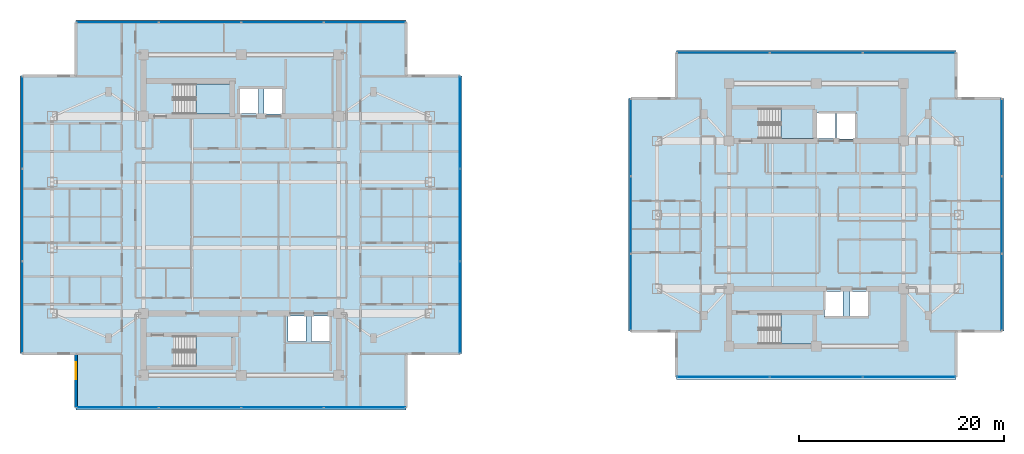
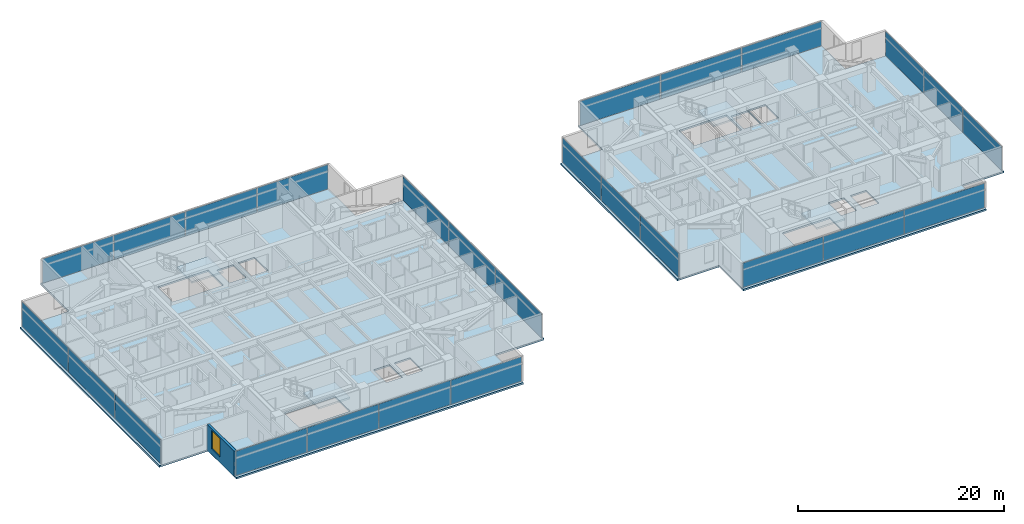
# One storey, part 11 of 25: 26 plates, 6 slabs, 1 wall, 1 window, 1 opening, 12 elements without a shape of their own.
"""IFC4 building model written with IfcOpenShell, lengths in metres."""

from ifc_helpers import new_model, si_unit, direction, frame, frame_2d, origin, origin_2d, place, context, subcontext, project, spatial, polyline, rectangle, outline, extrude, material, layer, layer_set, type_object, element, fill, aggregate, save


model = new_model("IFC4")

# Units and contexts
model_context = context("Model", 3, precision=1e-05, world=origin(), true_north=direction((0.0, 1.0)))
body_context = subcontext(model_context, "Body", "Model", "MODEL_VIEW")
ifc_project = project(units=[si_unit("LENGTHUNIT", "METRE"), si_unit("AREAUNIT", "SQUARE_METRE"), si_unit("VOLUMEUNIT", "CUBIC_METRE"), si_unit("PLANEANGLEUNIT", "RADIAN"), si_unit("MASSUNIT", "GRAM", prefix="KILO")], contexts=[model_context])

# Site, building, storey
site_placement = place(None, origin())
site = spatial("IfcSite", under=ifc_project, at=site_placement, CompositionType="ELEMENT")
building_placement = place(site_placement, origin())
building = spatial("IfcBuilding", under=site, at=building_placement, Name="Mirazonda Arch Towers", CompositionType="ELEMENT")
storey_placement = place(building_placement, frame((0.0, 0.0, 173.89990234375)))
storey = spatial("IfcBuildingStorey", under=building, at=storey_placement, Name="L49", CompositionType="ELEMENT", Elevation=173.89990234375)

# Curtain wall, plates
ifc_material_1 = material(Name="Anodised Aluminium and Low-E Glass", Category="aluminium")
curtain_wall_type = type_object("IfcCurtainWallType", Name="CW-RES-UNIT", PredefinedType="NOTDEFINED", material=ifc_material_1)
curtain_wall_1_placement = place(storey_placement, origin())
curtain_wall_1 = element("IfcCurtainWall", 1, at=curtain_wall_1_placement, inside=storey, type_object=curtain_wall_type, Name="L49 T1 S Facade CW-L49-T1-S", PredefinedType="NOTDEFINED")
ifc_material_2 = material(Name="Insulated Low-E Solar Glass", Category="glass")
ifc_layer_1 = layer(ifc_material_2, 0.0400390625, Name="PAN-CW-RES-UNIT")
ifc_layer_set_1 = layer_set([ifc_layer_1], Name="Insulated Low-E Solar Glass")
plate_type = type_object("IfcPlateType", Name="PAN-CW-RES-UNIT", PredefinedType="CURTAIN_PANEL", material=ifc_layer_set_1)
plate_1_placement = place(storey_placement, frame((32.530029296875, 9.241943359375, 0.0751953125), z_axis=(0.0, 0.0, 1.0), x_axis=(-1.0, 0.0, 0.0)))
plate_1 = element("IfcPlate", 2, at=plate_1_placement, type_object=plate_type, Name="CW-104 panel 1.1", PredefinedType="CURTAIN_PANEL", context=body_context, shape_type="SweptSolid", body=[
    extrude(rectangle(XDim=7.919921875, YDim=0.0400390625, at=origin_2d()), origin(), (0.0, 0.0, 1.0), 2.8798828125),
])
plate_2_placement = place(storey_placement, frame((24.516357421875, 9.241943359375, 0.0751953125), z_axis=(0.0, 0.0, 1.0), x_axis=(-1.0, 0.0, 0.0)))
plate_2 = element("IfcPlate", 3, at=plate_2_placement, type_object=plate_type, Name="CW-104 panel 2.1", PredefinedType="CURTAIN_PANEL", context=body_context, shape_type="SweptSolid", body=[
    extrude(rectangle(XDim=7.95751953125, YDim=0.0400390625, at=origin_2d()), origin(), (0.0, 0.0, 1.0), 2.8798828125),
])
plate_3_placement = place(storey_placement, frame((16.483642578125, 9.241943359375, 0.0751953125), z_axis=(0.0, 0.0, 1.0), x_axis=(-1.0, 0.0, 0.0)))
plate_3 = element("IfcPlate", 4, at=plate_3_placement, type_object=plate_type, Name="CW-104 panel 3.1", PredefinedType="CURTAIN_PANEL", context=body_context, shape_type="SweptSolid", body=[
    extrude(rectangle(XDim=7.95751953125, YDim=0.0400390625, at=origin_2d()), origin(), (0.0, 0.0, 1.0), 2.8798828125),
])
plate_4_placement = place(storey_placement, frame((8.469970703125, 9.241943359375, 0.0751953125), z_axis=(0.0, 0.0, 1.0), x_axis=(-1.0, 0.0, 0.0)))
plate_4 = element("IfcPlate", 5, at=plate_4_placement, type_object=plate_type, Name="CW-104 panel 4.1", PredefinedType="CURTAIN_PANEL", context=body_context, shape_type="SweptSolid", body=[
    extrude(rectangle(XDim=7.919921875, YDim=0.0400390625, at=origin_2d()), origin(), (0.0, 0.0, 1.0), 2.8798828125),
])
aggregate(curtain_wall_1, [plate_1, plate_2, plate_3, plate_4])

curtain_wall_2_placement = place(storey_placement, origin())
curtain_wall_2 = element("IfcCurtainWall", 6, at=curtain_wall_2_placement, inside=storey, type_object=curtain_wall_type, Name="L49 T1 E Facade CW-L49-T1-E", PredefinedType="NOTDEFINED")
plate_5_placement = place(storey_placement, frame((41.81005859375, 19.010009765625, 0.0751953125), z_axis=(0.0, 0.0, 1.0), x_axis=(0.0, 1.0, 0.0)))
plate_5 = element("IfcPlate", 7, at=plate_5_placement, type_object=plate_type, Name="CW-104 panel 1.1", PredefinedType="CURTAIN_PANEL", context=body_context, shape_type="SweptSolid", body=[
    extrude(rectangle(XDim=8.896240234375, YDim=0.0400390625, at=origin_2d()), origin(), (0.0, 0.0, 1.0), 2.8798828125),
])
plate_6_placement = place(storey_placement, frame((41.81005859375, 28.0, 0.0751953125), z_axis=(0.0, 0.0, 1.0), x_axis=(0.0, 1.0, 0.0)))
plate_6 = element("IfcPlate", 8, at=plate_6_placement, type_object=plate_type, Name="CW-104 panel 2.1", PredefinedType="CURTAIN_PANEL", context=body_context, shape_type="SweptSolid", body=[
    extrude(rectangle(XDim=8.93359375, YDim=0.0400390625, at=origin_2d()), origin(), (0.0, 0.0, 1.0), 2.8798828125),
])
plate_7_placement = place(storey_placement, frame((41.81005859375, 36.989990234375, 0.0751953125), z_axis=(0.0, 0.0, 1.0), x_axis=(0.0, 1.0, 0.0)))
plate_7 = element("IfcPlate", 9, at=plate_7_placement, type_object=plate_type, Name="CW-104 panel 3.1", PredefinedType="CURTAIN_PANEL", context=body_context, shape_type="SweptSolid", body=[
    extrude(rectangle(XDim=8.896240234375, YDim=0.0400390625, at=origin_2d()), origin(), (0.0, 0.0, 1.0), 2.8798828125),
])
aggregate(curtain_wall_2, [plate_5, plate_6, plate_7])

curtain_wall_3_placement = place(storey_placement, origin())
curtain_wall_3 = element("IfcCurtainWall", 10, at=curtain_wall_3_placement, inside=storey, type_object=curtain_wall_type, Name="L49 T1 N Facade CW-L49-T1-N", PredefinedType="NOTDEFINED")
plate_8_placement = place(storey_placement, frame((8.469970703125, 46.758056640625, 0.0751953125), z_axis=(0.0, 0.0, 1.0), x_axis=(1.0, 0.0, 0.0)))
plate_8 = element("IfcPlate", 11, at=plate_8_placement, type_object=plate_type, Name="CW-104 panel 1.1", PredefinedType="CURTAIN_PANEL", context=body_context, shape_type="SweptSolid", body=[
    extrude(rectangle(XDim=7.919921875, YDim=0.0400390625, at=origin_2d()), origin(), (0.0, 0.0, 1.0), 2.8798828125),
])
plate_9_placement = place(storey_placement, frame((16.483642578125, 46.758056640625, 0.0751953125), z_axis=(0.0, 0.0, 1.0), x_axis=(1.0, 0.0, 0.0)))
plate_9 = element("IfcPlate", 12, at=plate_9_placement, type_object=plate_type, Name="CW-104 panel 2.1", PredefinedType="CURTAIN_PANEL", context=body_context, shape_type="SweptSolid", body=[
    extrude(rectangle(XDim=7.95751953125, YDim=0.0400390625, at=origin_2d()), origin(), (0.0, 0.0, 1.0), 2.8798828125),
])
plate_10_placement = place(storey_placement, frame((24.516357421875, 46.758056640625, 0.0751953125), z_axis=(0.0, 0.0, 1.0), x_axis=(1.0, 0.0, 0.0)))
plate_10 = element("IfcPlate", 13, at=plate_10_placement, type_object=plate_type, Name="CW-104 panel 3.1", PredefinedType="CURTAIN_PANEL", context=body_context, shape_type="SweptSolid", body=[
    extrude(rectangle(XDim=7.95751953125, YDim=0.0400390625, at=origin_2d()), origin(), (0.0, 0.0, 1.0), 2.8798828125),
])
plate_11_placement = place(storey_placement, frame((32.530029296875, 46.758056640625, 0.0751953125), z_axis=(0.0, 0.0, 1.0), x_axis=(1.0, 0.0, 0.0)))
plate_11 = element("IfcPlate", 14, at=plate_11_placement, type_object=plate_type, Name="CW-104 panel 4.1", PredefinedType="CURTAIN_PANEL", context=body_context, shape_type="SweptSolid", body=[
    extrude(rectangle(XDim=7.919921875, YDim=0.0400390625, at=origin_2d()), origin(), (0.0, 0.0, 1.0), 2.8798828125),
])
aggregate(curtain_wall_3, [plate_8, plate_9, plate_10, plate_11])

curtain_wall_4_placement = place(storey_placement, origin())
curtain_wall_4 = element("IfcCurtainWall", 15, at=curtain_wall_4_placement, inside=storey, type_object=curtain_wall_type, Name="L49 T1 W Facade CW-L49-T1-W", PredefinedType="NOTDEFINED")
plate_12_placement = place(storey_placement, frame((-0.81005859375, 36.989990234375, 0.0751953125), z_axis=(0.0, 0.0, 1.0), x_axis=(0.0, -1.0, 0.0)))
plate_12 = element("IfcPlate", 16, at=plate_12_placement, type_object=plate_type, Name="CW-104 panel 1.1", PredefinedType="CURTAIN_PANEL", context=body_context, shape_type="SweptSolid", body=[
    extrude(rectangle(XDim=8.896240234375, YDim=0.0400390625, at=origin_2d()), origin(), (0.0, 0.0, 1.0), 2.8798828125),
])
plate_13_placement = place(storey_placement, frame((-0.81005859375, 28.0, 0.0751953125), z_axis=(0.0, 0.0, 1.0), x_axis=(0.0, -1.0, 0.0)))
plate_13 = element("IfcPlate", 17, at=plate_13_placement, type_object=plate_type, Name="CW-104 panel 2.1", PredefinedType="CURTAIN_PANEL", context=body_context, shape_type="SweptSolid", body=[
    extrude(rectangle(XDim=8.93359375, YDim=0.0400390625, at=origin_2d()), origin(), (0.0, 0.0, 1.0), 2.8798828125),
])
plate_14_placement = place(storey_placement, frame((-0.81005859375, 19.010009765625, 0.0751953125), z_axis=(0.0, 0.0, 1.0), x_axis=(0.0, -1.0, 0.0)))
plate_14 = element("IfcPlate", 18, at=plate_14_placement, type_object=plate_type, Name="CW-104 panel 3.1", PredefinedType="CURTAIN_PANEL", context=body_context, shape_type="SweptSolid", body=[
    extrude(rectangle(XDim=8.896240234375, YDim=0.0400390625, at=origin_2d()), origin(), (0.0, 0.0, 1.0), 2.8798828125),
])
aggregate(curtain_wall_4, [plate_12, plate_13, plate_14])

curtain_wall_5_placement = place(storey_placement, origin())
curtain_wall_5 = element("IfcCurtainWall", 19, at=curtain_wall_5_placement, inside=storey, type_object=curtain_wall_type, Name="L49 T2 S Facade CW-L49-T2-S", PredefinedType="NOTDEFINED")
plate_15_placement = place(storey_placement, frame((85.544677734375, 12.208740234375, 0.0751953125), z_axis=(0.0, 0.0, 1.0), x_axis=(-1.0, 0.0, 0.0)))
plate_15 = element("IfcPlate", 20, at=plate_15_placement, type_object=plate_type, Name="CW-104 panel 1.1", PredefinedType="CURTAIN_PANEL", context=body_context, shape_type="SweptSolid", body=[
    extrude(rectangle(XDim=8.950927734375, YDim=0.0400390625, at=origin_2d()), origin(), (0.0, 0.0, 1.0), 2.8798828125),
])
plate_16_placement = place(storey_placement, frame((76.5, 12.208740234375, 0.0751953125), z_axis=(0.0, 0.0, 1.0), x_axis=(-1.0, 0.0, 0.0)))
plate_16 = element("IfcPlate", 21, at=plate_16_placement, type_object=plate_type, Name="CW-104 panel 2.1", PredefinedType="CURTAIN_PANEL", context=body_context, shape_type="SweptSolid", body=[
    extrude(rectangle(XDim=8.988525390625, YDim=0.0400390625, at=origin_2d()), origin(), (0.0, 0.0, 1.0), 2.8798828125),
])
plate_17_placement = place(storey_placement, frame((67.455322265625, 12.208740234375, 0.0751953125), z_axis=(0.0, 0.0, 1.0), x_axis=(-1.0, 0.0, 0.0)))
plate_17 = element("IfcPlate", 22, at=plate_17_placement, type_object=plate_type, Name="CW-104 panel 3.1", PredefinedType="CURTAIN_PANEL", context=body_context, shape_type="SweptSolid", body=[
    extrude(rectangle(XDim=8.950927734375, YDim=0.0400390625, at=origin_2d()), origin(), (0.0, 0.0, 1.0), 2.8798828125),
])
aggregate(curtain_wall_5, [plate_15, plate_16, plate_17])

curtain_wall_6_placement = place(storey_placement, origin())
curtain_wall_6 = element("IfcCurtainWall", 23, at=curtain_wall_6_placement, inside=storey, type_object=curtain_wall_type, Name="L49 T2 E Facade CW-L49-T2-E", PredefinedType="NOTDEFINED")
plate_18_placement = place(storey_placement, frame((94.560546875, 20.468017578125, 0.0751953125), z_axis=(0.0, 0.0, 1.0), x_axis=(0.0, 1.0, 0.0)))
plate_18 = element("IfcPlate", 24, at=plate_18_placement, type_object=plate_type, Name="CW-104 panel 1.1", PredefinedType="CURTAIN_PANEL", context=body_context, shape_type="SweptSolid", body=[
    extrude(rectangle(XDim=7.438232421875, YDim=0.0400390625, at=origin_2d()), origin(), (0.0, 0.0, 1.0), 2.8798828125),
])
plate_19_placement = place(storey_placement, frame((94.560546875, 28.0, 0.0751953125), z_axis=(0.0, 0.0, 1.0), x_axis=(0.0, 1.0, 0.0)))
plate_19 = element("IfcPlate", 25, at=plate_19_placement, type_object=plate_type, Name="CW-104 panel 2.1", PredefinedType="CURTAIN_PANEL", context=body_context, shape_type="SweptSolid", body=[
    extrude(rectangle(XDim=7.475830078125, YDim=0.0400390625, at=origin_2d()), origin(), (0.0, 0.0, 1.0), 2.8798828125),
])
plate_20_placement = place(storey_placement, frame((94.560546875, 35.531982421875, 0.0751953125), z_axis=(0.0, 0.0, 1.0), x_axis=(0.0, 1.0, 0.0)))
plate_20 = element("IfcPlate", 26, at=plate_20_placement, type_object=plate_type, Name="CW-104 panel 3.1", PredefinedType="CURTAIN_PANEL", context=body_context, shape_type="SweptSolid", body=[
    extrude(rectangle(XDim=7.438232421875, YDim=0.0400390625, at=origin_2d()), origin(), (0.0, 0.0, 1.0), 2.8798828125),
])
aggregate(curtain_wall_6, [plate_18, plate_19, plate_20])

curtain_wall_7_placement = place(storey_placement, origin())
curtain_wall_7 = element("IfcCurtainWall", 27, at=curtain_wall_7_placement, inside=storey, type_object=curtain_wall_type, Name="L49 T2 N Facade CW-L49-T2-N", PredefinedType="NOTDEFINED")
plate_21_placement = place(storey_placement, frame((67.455322265625, 43.791259765625, 0.0751953125), z_axis=(0.0, 0.0, 1.0), x_axis=(1.0, 0.0, 0.0)))
plate_21 = element("IfcPlate", 28, at=plate_21_placement, type_object=plate_type, Name="CW-104 panel 1.1", PredefinedType="CURTAIN_PANEL", context=body_context, shape_type="SweptSolid", body=[
    extrude(rectangle(XDim=8.950927734375, YDim=0.0400390625, at=origin_2d()), origin(), (0.0, 0.0, 1.0), 2.8798828125),
])
plate_22_placement = place(storey_placement, frame((76.5, 43.791259765625, 0.0751953125), z_axis=(0.0, 0.0, 1.0), x_axis=(1.0, 0.0, 0.0)))
plate_22 = element("IfcPlate", 29, at=plate_22_placement, type_object=plate_type, Name="CW-104 panel 2.1", PredefinedType="CURTAIN_PANEL", context=body_context, shape_type="SweptSolid", body=[
    extrude(rectangle(XDim=8.988525390625, YDim=0.0400390625, at=origin_2d()), origin(), (0.0, 0.0, 1.0), 2.8798828125),
])
plate_23_placement = place(storey_placement, frame((85.544677734375, 43.791259765625, 0.0751953125), z_axis=(0.0, 0.0, 1.0), x_axis=(1.0, 0.0, 0.0)))
plate_23 = element("IfcPlate", 30, at=plate_23_placement, type_object=plate_type, Name="CW-104 panel 3.1", PredefinedType="CURTAIN_PANEL", context=body_context, shape_type="SweptSolid", body=[
    extrude(rectangle(XDim=8.950927734375, YDim=0.0400390625, at=origin_2d()), origin(), (0.0, 0.0, 1.0), 2.8798828125),
])
aggregate(curtain_wall_7, [plate_21, plate_22, plate_23])

curtain_wall_8_placement = place(storey_placement, origin())
curtain_wall_8 = element("IfcCurtainWall", 31, at=curtain_wall_8_placement, inside=storey, type_object=curtain_wall_type, Name="L49 T2 W Facade CW-L49-T2-W", PredefinedType="NOTDEFINED")
plate_24_placement = place(storey_placement, frame((58.439453125, 35.531982421875, 0.0751953125), z_axis=(0.0, 0.0, 1.0), x_axis=(0.0, -1.0, 0.0)))
plate_24 = element("IfcPlate", 32, at=plate_24_placement, type_object=plate_type, Name="CW-104 panel 1.1", PredefinedType="CURTAIN_PANEL", context=body_context, shape_type="SweptSolid", body=[
    extrude(rectangle(XDim=7.438232421875, YDim=0.0400390625, at=origin_2d()), origin(), (0.0, 0.0, 1.0), 2.8798828125),
])
plate_25_placement = place(storey_placement, frame((58.439453125, 28.0, 0.0751953125), z_axis=(0.0, 0.0, 1.0), x_axis=(0.0, -1.0, 0.0)))
plate_25 = element("IfcPlate", 33, at=plate_25_placement, type_object=plate_type, Name="CW-104 panel 2.1", PredefinedType="CURTAIN_PANEL", context=body_context, shape_type="SweptSolid", body=[
    extrude(rectangle(XDim=7.475830078125, YDim=0.0400390625, at=origin_2d()), origin(), (0.0, 0.0, 1.0), 2.8798828125),
])
plate_26_placement = place(storey_placement, frame((58.439453125, 20.468017578125, 0.0751953125), z_axis=(0.0, 0.0, 1.0), x_axis=(0.0, -1.0, 0.0)))
plate_26 = element("IfcPlate", 34, at=plate_26_placement, type_object=plate_type, Name="CW-104 panel 3.1", PredefinedType="CURTAIN_PANEL", context=body_context, shape_type="SweptSolid", body=[
    extrude(rectangle(XDim=7.438232421875, YDim=0.0400390625, at=origin_2d()), origin(), (0.0, 0.0, 1.0), 2.8798828125),
])
aggregate(curtain_wall_8, [plate_24, plate_25, plate_26])

# Stair, slab
ifc_material_3 = material(Name="Concrete C40/50", Category="concrete")
stair_type = type_object("IfcStairType", Name="STAIR-CORE-1400", PredefinedType="HALF_TURN_STAIR", material=ifc_material_3)
stair_1_placement = place(storey_placement, origin())
stair_1 = element("IfcStair", 35, at=stair_1_placement, inside=storey, type_object=stair_type, Name="L49 Protected Exit Stair ST-T1N", PredefinedType="HALF_TURN_STAIR")
ifc_layer_2 = layer(ifc_material_3, 0.18994140625, Name="SLAB-LANDING-190")
ifc_layer_set_2 = layer_set([ifc_layer_2], Name="Concrete C40/50")
slab_type_1 = type_object("IfcSlabType", Name="SLAB-LANDING-190", PredefinedType="LANDING", material=ifc_layer_set_2)
slab_1_placement = place(storey_placement, frame((0.0, 0.0, 1.425048828125)))
slab_1 = element("IfcSlab", 36, at=slab_1_placement, type_object=slab_type_1, Name="ST-T1N landing 1", PredefinedType="LANDING", context=body_context, shape_type="SweptSolid", body=[
    extrude(outline(polyline([(16.090087890625, 37.820068359375), (19.60009765625, 37.820068359375), (19.60009765625, 40.760009765625), (16.090087890625, 40.760009765625), (16.090087890625, 37.820068359375)])), origin(), (0.0, 0.0, 1.0), 0.199951171875),
])
aggregate(stair_1, [slab_1])

stair_2_placement = place(storey_placement, origin())
stair_2 = element("IfcStair", 37, at=stair_2_placement, inside=storey, type_object=stair_type, Name="L49 Protected Exit Stair ST-T1S", PredefinedType="HALF_TURN_STAIR")
slab_2_placement = place(storey_placement, frame((0.0, 0.0, 1.425048828125)))
slab_2 = element("IfcSlab", 38, at=slab_2_placement, type_object=slab_type_1, Name="ST-T1S landing 1", PredefinedType="LANDING", context=body_context, shape_type="SweptSolid", body=[
    extrude(outline(polyline([(16.090087890625, 13.25), (19.60009765625, 13.25), (19.60009765625, 16.18994140625), (16.090087890625, 16.18994140625), (16.090087890625, 13.25)])), origin(), (0.0, 0.0, 1.0), 0.199951171875),
])
aggregate(stair_2, [slab_2])

stair_3_placement = place(storey_placement, origin())
stair_3 = element("IfcStair", 39, at=stair_3_placement, inside=storey, type_object=stair_type, Name="L49 Protected Exit Stair ST-T2N", PredefinedType="HALF_TURN_STAIR")
slab_3_placement = place(storey_placement, frame((0.0, 0.0, 1.425048828125)))
slab_3 = element("IfcSlab", 40, at=slab_3_placement, type_object=slab_type_1, Name="ST-T2N landing 1", PredefinedType="LANDING", context=body_context, shape_type="SweptSolid", body=[
    extrude(outline(polyline([(73.090087890625, 35.419921875), (76.22998046875, 35.419921875), (76.22998046875, 38.360107421875), (73.090087890625, 38.360107421875), (73.090087890625, 35.419921875)])), origin(), (0.0, 0.0, 1.0), 0.199951171875),
])
aggregate(stair_3, [slab_3])

stair_4_placement = place(storey_placement, origin())
stair_4 = element("IfcStair", 41, at=stair_4_placement, inside=storey, type_object=stair_type, Name="L49 Protected Exit Stair ST-T2S", PredefinedType="HALF_TURN_STAIR")
slab_4_placement = place(storey_placement, frame((0.0, 0.0, 1.425048828125)))
slab_4 = element("IfcSlab", 42, at=slab_4_placement, type_object=slab_type_1, Name="ST-T2S landing 1", PredefinedType="LANDING", context=body_context, shape_type="SweptSolid", body=[
    extrude(outline(polyline([(73.090087890625, 15.419921875), (76.22998046875, 15.419921875), (76.22998046875, 18.360107421875), (73.090087890625, 18.360107421875), (73.090087890625, 15.419921875)])), origin(), (0.0, 0.0, 1.0), 0.199951171875),
])
aggregate(stair_4, [slab_4])

# Slabs
ifc_layer_3 = layer(ifc_material_3, 0.199951171875, Name="SLAB-TWR-200")
ifc_layer_set_3 = layer_set([ifc_layer_3], Name="Concrete C40/50")
slab_type_2 = type_object("IfcSlabType", Name="SLAB-TWR-200", PredefinedType="FLOOR", material=ifc_layer_set_3)
slab_5_placement = place(storey_placement, frame((0.0, 0.0, -0.199951171875)))
element("IfcSlab", 43, at=slab_5_placement, inside=storey, type_object=slab_type_2, Name="L49 Tower 1 Floor Slab", PredefinedType="FLOOR", context=body_context, shape_type="SweptSolid", body=[
    extrude(outline(polyline([(4.43505859375, 9.02197265625), (36.56494140625, 9.02197265625), (36.56494140625, 14.487060546875), (42.030029296875, 14.487060546875), (42.030029296875, 41.512939453125), (36.56494140625, 41.512939453125), (36.56494140625, 46.97802734375), (4.43505859375, 46.97802734375), (4.43505859375, 41.512939453125), (-1.030029296875, 41.512939453125), (-1.030029296875, 14.487060546875), (4.43505859375, 14.487060546875), (4.43505859375, 9.02197265625)]), holes=[polyline([(27.360107421875, 18.139892578125), (29.139892578125, 18.139892578125), (29.139892578125, 15.659912109375), (27.360107421875, 15.659912109375), (27.360107421875, 18.139892578125)]), polyline([(25.06005859375, 18.139892578125), (26.840087890625, 18.139892578125), (26.840087890625, 15.659912109375), (25.06005859375, 15.659912109375), (25.06005859375, 18.139892578125)]), polyline([(22.7099609375, 40.389892578125), (24.590087890625, 40.389892578125), (24.590087890625, 37.81005859375), (22.7099609375, 37.81005859375), (22.7099609375, 40.389892578125)]), polyline([(20.31005859375, 37.860107421875), (20.31005859375, 40.340087890625), (22.18994140625, 40.340087890625), (22.18994140625, 37.860107421875), (20.31005859375, 37.860107421875)]), polyline([(19.60009765625, 13.25), (13.925048828125, 13.25), (13.925048828125, 16.18994140625), (19.60009765625, 16.18994140625), (19.60009765625, 13.25)]), polyline([(13.925048828125, 37.820068359375), (13.925048828125, 40.760009765625), (19.60009765625, 40.760009765625), (19.60009765625, 37.820068359375), (13.925048828125, 37.820068359375)])]), origin(), (0.0, 0.0, 1.0), 0.199951171875),
])
slab_6_placement = place(storey_placement, frame((0.0, 0.0, -0.199951171875)))
element("IfcSlab", 44, at=slab_6_placement, inside=storey, type_object=slab_type_2, Name="L49 Tower 2 Floor Slab", PredefinedType="FLOOR", context=body_context, shape_type="SweptSolid", body=[
    extrude(outline(polyline([(62.90478515625, 11.98876953125), (90.09521484375, 11.98876953125), (90.09521484375, 16.673828125), (94.780517578125, 16.673828125), (94.780517578125, 39.326171875), (90.09521484375, 39.326171875), (90.09521484375, 44.01123046875), (62.90478515625, 44.01123046875), (62.90478515625, 39.326171875), (58.219482421875, 39.326171875), (58.219482421875, 16.673828125), (62.90478515625, 16.673828125), (62.90478515625, 11.98876953125)]), holes=[polyline([(79.81005859375, 20.5400390625), (81.590087890625, 20.5400390625), (81.590087890625, 18.06005859375), (79.81005859375, 18.06005859375), (79.81005859375, 20.5400390625)]), polyline([(78.47998046875, 37.989990234375), (80.360107421875, 37.989990234375), (80.360107421875, 35.409912109375), (78.47998046875, 35.409912109375), (78.47998046875, 37.989990234375)]), polyline([(77.31005859375, 20.5400390625), (79.090087890625, 20.5400390625), (79.090087890625, 18.06005859375), (77.31005859375, 18.06005859375), (77.31005859375, 20.5400390625)]), polyline([(76.510009765625, 35.4599609375), (76.510009765625, 37.93994140625), (78.389892578125, 37.93994140625), (78.389892578125, 35.4599609375), (76.510009765625, 35.4599609375)]), polyline([(76.22998046875, 15.419921875), (70.925048828125, 15.419921875), (70.925048828125, 18.360107421875), (76.22998046875, 18.360107421875), (76.22998046875, 15.419921875)]), polyline([(70.925048828125, 35.419921875), (70.925048828125, 38.360107421875), (76.22998046875, 38.360107421875), (76.22998046875, 35.419921875), (70.925048828125, 35.419921875)])]), origin(), (0.0, 0.0, 1.0), 0.199951171875),
])

# Wall, opening, window
ifc_material_4 = material(Name="Precast Concrete C40/50", Category="concrete")
ifc_layer_4 = layer(ifc_material_4, 0.280029296875, Name="WALL-EXT-WALL-280")
ifc_layer_set_4 = layer_set([ifc_layer_4], Name="Precast Concrete C40/50")
wall_type = type_object("IfcWallType", Name="WALL-EXT-WALL-280", PredefinedType="SOLIDWALL", material=ifc_layer_set_4)
wall_placement = place(storey_placement, frame((4.43505859375, 14.487060546875, 0.0), z_axis=(0.0, 0.0, 1.0), x_axis=(0.0, -1.0, 0.0)))
wall = element("IfcWall", 45, at=wall_placement, inside=storey, type_object=wall_type, Name="L49 T1 Notched SW Corner Wall WL-L49-T1-CSW", PredefinedType="SOLIDWALL", context=body_context, shape_type="SweptSolid", body=[
    extrude(rectangle(XDim=5.2451171875, YDim=0.280029296875, at=frame_2d((2.62255859375, 0.0))), origin(), (0.0, 0.0, 1.0), 3.030029296875),
])
opening_placement = place(wall_placement, frame((0.85009765625, 0.0, 0.679931640625)))
opening = element("IfcOpeningElement", 46, at=opening_placement, cuts=wall, Name="Opening WN-115", PredefinedType="OPENING", context=body_context, shape_type="SweptSolid", body=[
    extrude(rectangle(XDim=1.64990234375, YDim=2.199951171875, at=frame_2d((0.824951171875, 1.10009765625))), frame((0.0, 0.14990234375, 0.0), z_axis=(0.0, -1.0, 0.0), x_axis=(1.0, 0.0, 0.0)), (0.0, 0.0, 1.0), 0.300048828125),
])
window_type = type_object("IfcWindowType", Name="WIN-RES-1650x2200", PartitioningType="SINGLE_PANEL", PredefinedType="WINDOW", material=ifc_material_2)
window_placement = place(opening_placement, origin())
window = element("IfcWindow", 47, at=window_placement, inside=storey, type_object=window_type, Name="L49 Punched Facade Window WN-L49-T1-CSW", OverallHeight=2.199951171875, OverallWidth=1.64990234375, PartitioningType="SINGLE_PANEL", PredefinedType="WINDOW", context=body_context, shape_type="SweptSolid", body=[
    extrude(rectangle(XDim=1.64990234375, YDim=2.199951171875, at=frame_2d((0.824951171875, 1.10009765625))), frame((0.0, 0.030029296875, 0.0), z_axis=(0.0, -1.0, 0.0), x_axis=(1.0, 0.0, 0.0)), (0.0, 0.0, 1.0), 0.06005859375),
])
fill(opening, window)

save(model, "model.ifc")
